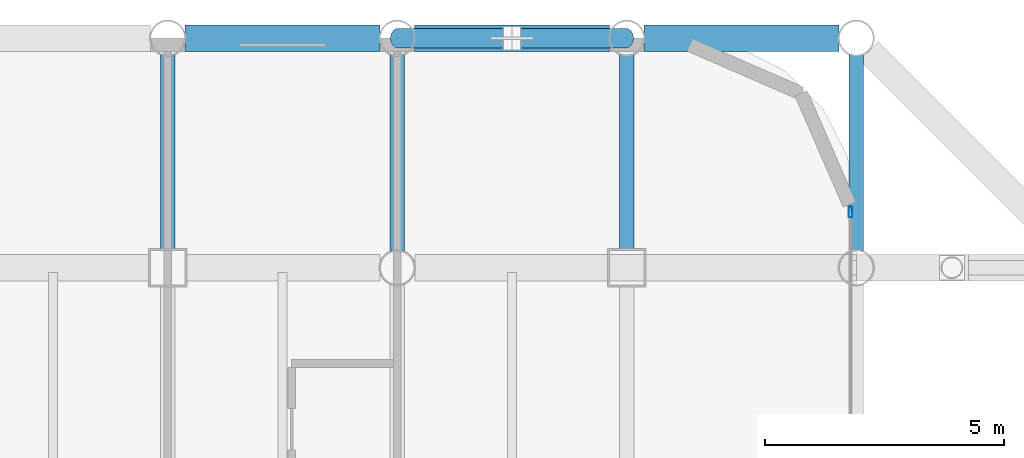
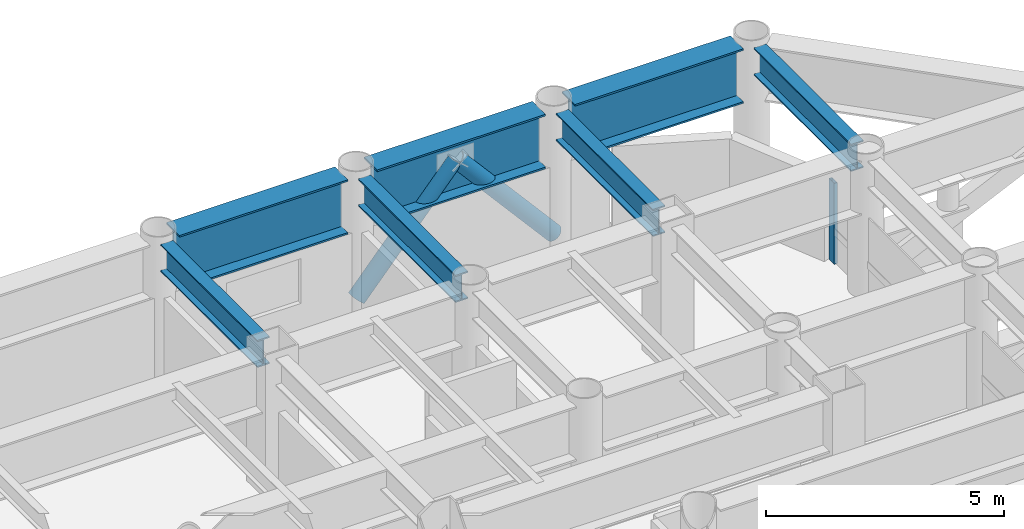
# One storey, part 17 of 26: 7 beams, 3 members, 1 element without a shape of its own.
"""IFC4 building model written with IfcOpenShell, lengths in metres."""

from ifc_helpers import new_model, si_unit, direction, frame, origin, origin_2d, place, context, subcontext, project, spatial, hollow_rectangle, hollow_circle, i_section, extrude, material, layer, layer_set, material_profile, profile_set, type_object, element, aggregate, save


model = new_model("IFC4")

# Units and contexts
model_context = context("Model", 3, precision=1e-05, world=origin(), true_north=direction((0.0, 1.0)))
body_context = subcontext(model_context, "Body", "Model", "MODEL_VIEW")
ifc_project = project(units=[si_unit("LENGTHUNIT", "METRE"), si_unit("AREAUNIT", "SQUARE_METRE"), si_unit("VOLUMEUNIT", "CUBIC_METRE"), si_unit("PLANEANGLEUNIT", "RADIAN"), si_unit("MASSUNIT", "GRAM", prefix="KILO")], contexts=[model_context])

# Site, building, storey
site_placement = place(None, origin())
site = spatial("IfcSite", under=ifc_project, at=site_placement, CompositionType="ELEMENT")
building_placement = place(site_placement, origin())
building = spatial("IfcBuilding", under=site, at=building_placement, Name="Kallvorn Hotel Tower", CompositionType="ELEMENT")
storey_placement = place(building_placement, frame((0.0, 0.0, 55.89990234375)))
storey = spatial("IfcBuildingStorey", under=building, at=storey_placement, Name="L12", CompositionType="ELEMENT", Elevation=55.89990234375)

# Beams
ifc_material_1 = material(Name="Structural steel S355JR", Category="steel")
ifc_material_profile_1 = material_profile(ifc_material_1, i_section(OverallWidth=0.300048828125, OverallDepth=0.699951171875, WebThickness=0.01708984375, FlangeThickness=0.031982421875, at=origin_2d()), Name="HE 700 B")
ifc_profile_set_1 = profile_set([ifc_material_profile_1], Name="Structural steel S355JR")
beam_type_1 = type_object("IfcBeamType", Name="BM_HE700B", PredefinedType="BEAM", material=ifc_profile_set_1)
beam_1_placement = place(storey_placement, frame((14.39990234375, 14.77490234375, 3.170166015625), z_axis=(0.0, 1.0, 0.0), x_axis=(-1.0, 0.0, 0.0)))
element("IfcBeam", 1, at=beam_1_placement, inside=storey, type_object=beam_type_1, Name="L13 Primary Y-Girder 135", PredefinedType="BEAM", context=body_context, shape_type="SweptSolid", body=[
    extrude(i_section(OverallWidth=0.300048828125, OverallDepth=0.699951171875, WebThickness=0.01708984375, FlangeThickness=0.031982421875, at=origin_2d()), origin(), (0.0, 0.0, 1.0), 4.069091796875),
])
beam_2_placement = place(storey_placement, frame((19.199951171875, 14.756103515625, 3.170166015625), z_axis=(0.0, 1.0, 0.0), x_axis=(-1.0, 0.0, 0.0)))
element("IfcBeam", 2, at=beam_2_placement, inside=storey, type_object=beam_type_1, Name="L13 Primary Y-Girder 144", PredefinedType="BEAM", context=body_context, shape_type="SweptSolid", body=[
    extrude(i_section(OverallWidth=0.300048828125, OverallDepth=0.699951171875, WebThickness=0.01708984375, FlangeThickness=0.031982421875, at=origin_2d()), origin(), (0.0, 0.0, 1.0), 4.087890625),
])
beam_3_placement = place(storey_placement, frame((24.0, 14.77490234375, 3.170166015625), z_axis=(0.0, 1.0, 0.0), x_axis=(-1.0, 0.0, 0.0)))
element("IfcBeam", 3, at=beam_3_placement, inside=storey, type_object=beam_type_1, Name="L13 Primary Y-Girder 151", PredefinedType="BEAM", context=body_context, shape_type="SweptSolid", body=[
    extrude(i_section(OverallWidth=0.300048828125, OverallDepth=0.699951171875, WebThickness=0.01708984375, FlangeThickness=0.031982421875, at=origin_2d()), origin(), (0.0, 0.0, 1.0), 4.069091796875),
])
beam_4_placement = place(storey_placement, frame((28.800048828125, 14.756103515625, 3.170166015625), z_axis=(0.0, 1.0, 0.0), x_axis=(-1.0, 0.0, 0.0)))
element("IfcBeam", 4, at=beam_4_placement, inside=storey, type_object=beam_type_1, Name="L13 Primary Y-Girder 159", PredefinedType="BEAM", context=body_context, shape_type="SweptSolid", body=[
    extrude(i_section(OverallWidth=0.300048828125, OverallDepth=0.699951171875, WebThickness=0.01708984375, FlangeThickness=0.031982421875, at=origin_2d()), origin(), (0.0, 0.0, 1.0), 4.087890625),
])
ifc_material_2 = material(Name="Structural steel S355JR", Category="steel")
ifc_material_profile_2 = material_profile(ifc_material_2, i_section(OverallWidth=0.550048828125, OverallDepth=1.39990234375, WebThickness=0.02490234375, FlangeThickness=0.044921875, at=origin_2d()), Name="PG 1400x550x25x45")
ifc_profile_set_2 = profile_set([ifc_material_profile_2], Name="Structural steel S355JR")
beam_type_2 = type_object("IfcBeamType", Name="BM_PG_1400", PredefinedType="BEAM", material=ifc_profile_set_2)
beam_5_placement = place(storey_placement, frame((14.756103515625, 19.199951171875, 2.820068359375), z_axis=(1.0, 0.0, 0.0), x_axis=(0.0, 1.0, 0.0)))
element("IfcBeam", 5, at=beam_5_placement, inside=storey, type_object=beam_type_2, Name="L13 Primary X-Girder 79", PredefinedType="BEAM", context=body_context, shape_type="SweptSolid", body=[
    extrude(i_section(OverallWidth=0.550048828125, OverallDepth=1.39990234375, WebThickness=0.02490234375, FlangeThickness=0.044921875, at=origin_2d()), origin(), (0.0, 0.0, 1.0), 4.087890625),
])
for number, where, z_axis, x_axis, name in (
    (6, (19.555908203125, 19.199951171875, 2.820068359375), (1.0, 0.0, 0.0), (0.0, 1.0, 0.0), "L13 Primary X-Girder 80"),
    (7, (24.35595703125, 19.199951171875, 2.820068359375), (1.0, 0.0, 0.0), (0.0, 1.0, 0.0), "L13 Primary X-Girder 81"),
):
    element("IfcBeam", number, at=place(storey_placement, frame(where, z_axis=z_axis, x_axis=x_axis)), inside=storey, type_object=beam_type_2, Name=name, PredefinedType="BEAM", context=body_context, shape_type="SweptSolid", body=[
        extrude(i_section(OverallWidth=0.550048828125, OverallDepth=1.39990234375, WebThickness=0.02490234375, FlangeThickness=0.044921875, at=origin_2d()), origin(), (0.0, 0.0, 1.0), 4.088134765625),
    ])

# Curtain wall, member
ifc_material_3 = material(Name="Thermally broken black-anodised aluminium AA 6063-T6", Category="aluminium")
ifc_layer = layer(ifc_material_3, 0.199951171875)
ifc_layer_set = layer_set([ifc_layer], Name="CW_SYS_3_HOTEL_LOW")
curtain_wall_type = type_object("IfcCurtainWallType", Name="CW_SYS_3_HOTEL_LOW", PredefinedType="USERDEFINED", material=ifc_layer_set)
curtain_wall_placement = place(storey_placement, origin())
curtain_wall = element("IfcCurtainWall", 8, at=curtain_wall_placement, inside=storey, type_object=curtain_wall_type, Name="L12 Dark-Glass Curtain Wall CW-L12-EN", ObjectType="UNITISED CURTAIN WALL", PredefinedType="USERDEFINED")
ifc_material_4 = material(Name="Thermally broken black-anodised aluminium AA 6063-T6", Category="aluminium")
ifc_material_profile_3 = material_profile(ifc_material_4, hollow_rectangle(XDim=0.080078125, YDim=0.219970703125, WallThickness=0.0048828125, at=origin_2d()), Name="MUL 220x80")
ifc_profile_set_3 = profile_set([ifc_material_profile_3], Name="Thermally broken black-anodised aluminium AA 6063-T6")
member_type_1 = type_object("IfcMemberType", Name="CW_MULLION_220x80", PredefinedType="MULLION", material=ifc_profile_set_3)
member_placement = place(storey_placement, frame((28.679931640625, 15.56005859375, 0.02001953125), z_axis=(0.0, 0.0, 1.0), x_axis=(1.0, 0.0, 0.0)))
member = element("IfcMember", 9, at=member_placement, type_object=member_type_1, Name="CW-L12-EN Mullion 01", PredefinedType="MULLION", context=body_context, shape_type="SweptSolid", body=[
    extrude(hollow_rectangle(XDim=0.080078125, YDim=0.219970703125, WallThickness=0.0048828125, at=origin_2d()), origin(), (0.0, 0.0, 1.0), 2.080078125),
])
aggregate(curtain_wall, [member])

# Members
ifc_material_5 = material(Name="Structural steel S355J2H", Category="steel")
ifc_material_profile_4 = material_profile(ifc_material_5, hollow_circle(Radius=0.203125, WallThickness=0.01611328125, at=origin_2d()), Name="CHS 406.4x16")
ifc_profile_set_4 = profile_set([ifc_material_profile_4], Name="Structural steel S355J2H")
member_type_2 = type_object("IfcMemberType", Name="MBR_EXO_CHS406", PredefinedType="BRACE", material=ifc_profile_set_4)
for number, where, z_axis, x_axis, name in (
    (10, (19.213134765625, 19.199951171875, 0.1953125), (0.65346062529, 0.0, 0.756960508346), (0.0, 1.0, 0.0), "L12 Exoskeleton K-Brace N2A"),
    (11, (23.98681640625, 19.199951171875, 0.1953125), (-0.65346062529, 0.0, 0.756960508346), (0.0, -1.0, 0.0), "L12 Exoskeleton K-Brace N2B"),
):
    element("IfcMember", number, at=place(storey_placement, frame(where, z_axis=z_axis, x_axis=x_axis)), inside=storey, type_object=member_type_2, Name=name, PredefinedType="BRACE", context=body_context, shape_type="SweptSolid", body=[
        extrude(hollow_circle(Radius=0.203125, WallThickness=0.01611328125, at=origin_2d()), origin(), (0.0, 0.0, 1.0), 3.632568359375),
    ])

save(model, "model.ifc")
